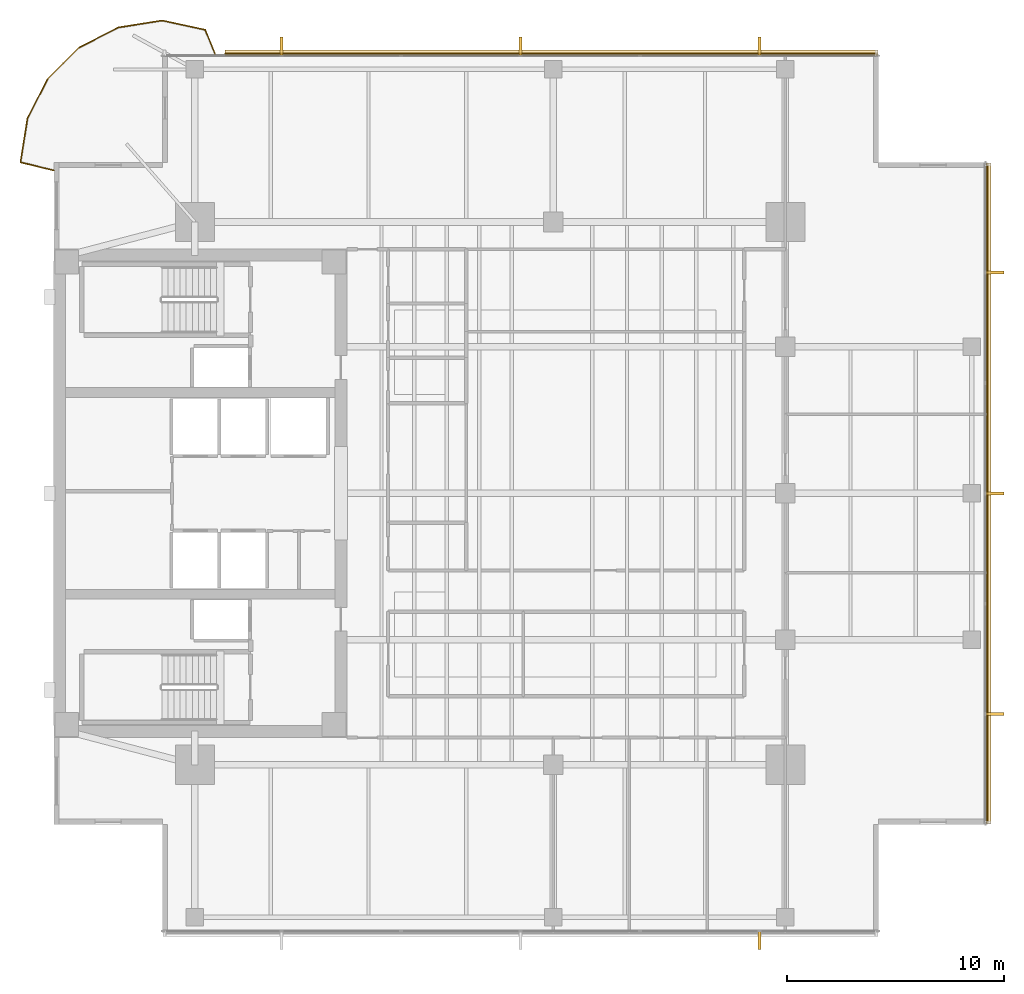
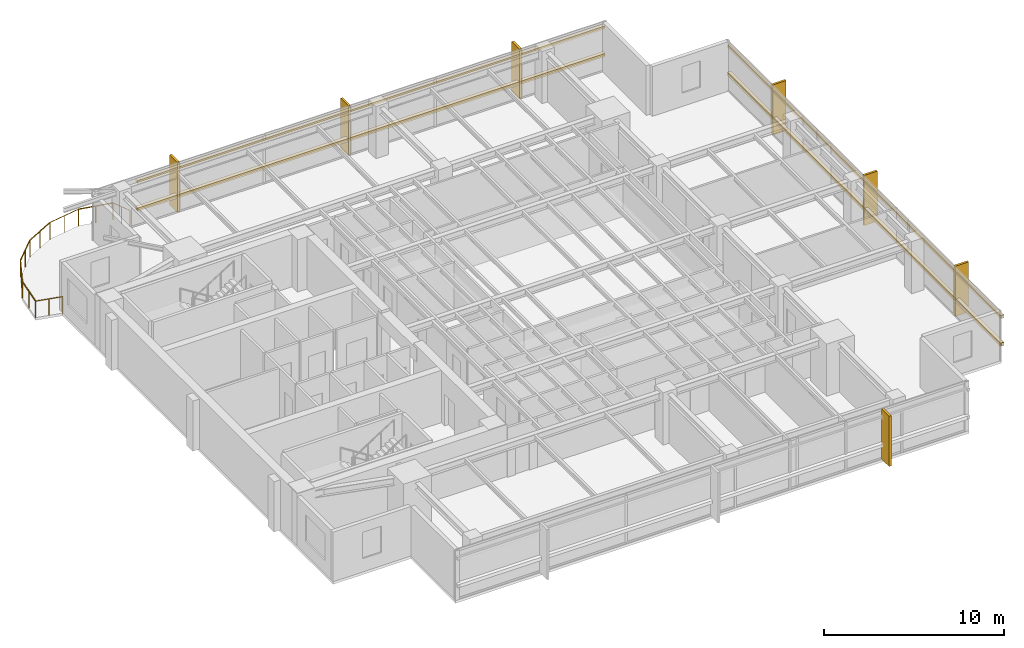
# One storey, part 14 of 14: 11 coverings, 8 railings, 4 shading devices.
"""IFC4 building model written with IfcOpenShell, lengths in metres."""

from ifc_helpers import new_model, si_unit, direction, frame, origin, origin_2d, place, context, subcontext, project, spatial, polyline, rectangle, circle, outline, extrude, material, layer, layer_set, material_profile, profile_set, type_object, element, save


model = new_model("IFC4")

# Units and contexts
model_context = context("Model", 3, precision=1e-05, world=origin(), true_north=direction((0.0, 1.0)))
body_context = subcontext(model_context, "Body", "Model", "MODEL_VIEW")
ifc_project = project(units=[si_unit("LENGTHUNIT", "METRE"), si_unit("AREAUNIT", "SQUARE_METRE"), si_unit("VOLUMEUNIT", "CUBIC_METRE"), si_unit("PLANEANGLEUNIT", "RADIAN"), si_unit("MASSUNIT", "GRAM", prefix="KILO")], contexts=[model_context])

# Site, building, storey
site_placement = place(None, origin())
site = spatial("IfcSite", under=ifc_project, at=site_placement, CompositionType="ELEMENT")
building_placement = place(site_placement, origin())
building = spatial("IfcBuilding", under=site, at=building_placement, Name="Kinhvarn Gate Tower", CompositionType="ELEMENT")
storey_placement = place(building_placement, frame((0.0, 0.0, 227.10009765625)))
storey = spatial("IfcBuildingStorey", under=building, at=storey_placement, Name="L60", CompositionType="ELEMENT", Elevation=227.10009765625)

# Coverings
ifc_material_1 = material(Name="Fired architectural terracotta", Category="masonry")
ifc_layer_1 = layer(ifc_material_1, 0.239990234375)
ifc_layer_set_1 = layer_set([ifc_layer_1], Name="Fired architectural terracotta")
covering_type_1 = type_object("IfcCoveringType", Name="COV-BAG-220", PredefinedType="CLADDING", material=ifc_layer_set_1)
for number, where, name in (
    (1, (0.0, 0.0, 0.93994140625), "Terracotta Horizontal Sunscreen Band TBG-220 (L60)"),
    (2, (0.0, 0.0, 2.809814453125), "Terracotta Horizontal Sunscreen Band TBG-220 (L60)"),
):
    element("IfcCovering", number, at=place(storey_placement, frame(where)), inside=storey, type_object=covering_type_1, Name=name, PredefinedType="CLADDING", context=body_context, shape_type="SweptSolid", body=[
        extrude(outline(polyline([(42.4599609375, 45.429931640625), (12.3779296875, 45.429931640625), (12.3779296875, 45.669921875), (42.4599609375, 45.669921875), (42.4599609375, 45.429931640625)])), origin(), (0.0, 0.0, 1.0), 0.219970703125),
    ])
for number, where, name in (
    (3, (0.0, 0.0, 0.93994140625), "Terracotta Horizontal Sunscreen Band TBG-220 (L60)"),
    (4, (0.0, 0.0, 2.809814453125), "Terracotta Horizontal Sunscreen Band TBG-220 (L60)"),
):
    element("IfcCovering", number, at=place(storey_placement, frame(where)), inside=storey, type_object=covering_type_1, Name=name, PredefinedType="CLADDING", context=body_context, shape_type="SweptSolid", body=[
        extrude(outline(polyline([(47.429931640625, 10.0400390625), (47.429931640625, 40.4599609375), (47.669921875, 40.4599609375), (47.669921875, 10.0400390625), (47.429931640625, 10.0400390625)])), origin(), (0.0, 0.0, 1.0), 0.219970703125),
    ])
ifc_layer_2 = layer(ifc_material_1, 0.139892578125)
ifc_layer_set_2 = layer_set([ifc_layer_2], Name="Fired architectural terracotta")
covering_type_2 = type_object("IfcCoveringType", Name="COV-FIN-850", PredefinedType="CLADDING", material=ifc_layer_set_2)
covering_1_placement = place(storey_placement, frame((0.0, 0.0, -0.02001953125)))
element("IfcCovering", 5, at=covering_1_placement, inside=storey, type_object=covering_type_2, Name="Vertical Terracotta Expressive Fin TFN-850 (L60)", PredefinedType="CLADDING", context=body_context, shape_type="SweptSolid", body=[
    extrude(outline(polyline([(36.929931640625, 5.080078125), (37.070068359375, 5.080078125), (37.070068359375, 4.22998046875), (36.929931640625, 4.22998046875), (36.929931640625, 5.080078125)])), origin(), (0.0, 0.0, 1.0), 3.409912109375),
])
covering_2_placement = place(storey_placement, frame((0.0, 0.0, -0.02001953125)))
element("IfcCovering", 6, at=covering_2_placement, inside=storey, type_object=covering_type_2, Name="Vertical Terracotta Expressive Fin TFN-850 (L60)", PredefinedType="CLADDING", context=body_context, shape_type="SweptSolid", body=[
    extrude(outline(polyline([(37.070068359375, 45.419921875), (36.929931640625, 45.419921875), (36.929931640625, 46.27001953125), (37.070068359375, 46.27001953125), (37.070068359375, 45.419921875)])), origin(), (0.0, 0.0, 1.0), 3.409912109375),
])
covering_3_placement = place(storey_placement, frame((0.0, 0.0, -0.02001953125)))
element("IfcCovering", 7, at=covering_3_placement, inside=storey, type_object=covering_type_2, Name="Vertical Terracotta Expressive Fin TFN-850 (L60)", PredefinedType="CLADDING", context=body_context, shape_type="SweptSolid", body=[
    extrude(outline(polyline([(26.070068359375, 45.419921875), (25.929931640625, 45.419921875), (25.929931640625, 46.27001953125), (26.070068359375, 46.27001953125), (26.070068359375, 45.419921875)])), origin(), (0.0, 0.0, 1.0), 3.409912109375),
])
covering_4_placement = place(storey_placement, frame((0.0, 0.0, -0.02001953125)))
element("IfcCovering", 8, at=covering_4_placement, inside=storey, type_object=covering_type_2, Name="Vertical Terracotta Expressive Fin TFN-850 (L60)", PredefinedType="CLADDING", context=body_context, shape_type="SweptSolid", body=[
    extrude(outline(polyline([(15.070068359375, 45.419921875), (14.929931640625, 45.419921875), (14.929931640625, 46.27001953125), (15.070068359375, 46.27001953125), (15.070068359375, 45.419921875)])), origin(), (0.0, 0.0, 1.0), 3.409912109375),
])
covering_5_placement = place(storey_placement, frame((0.0, 0.0, -0.02001953125)))
element("IfcCovering", 9, at=covering_5_placement, inside=storey, type_object=covering_type_2, Name="Vertical Terracotta Expressive Fin TFN-850 (L60)", PredefinedType="CLADDING", context=body_context, shape_type="SweptSolid", body=[
    extrude(outline(polyline([(47.419921875, 15.01318359375), (47.419921875, 15.1533203125), (48.27001953125, 15.1533203125), (48.27001953125, 15.01318359375), (47.419921875, 15.01318359375)])), origin(), (0.0, 0.0, 1.0), 3.409912109375),
])
covering_6_placement = place(storey_placement, frame((0.0, 0.0, -0.02001953125)))
element("IfcCovering", 10, at=covering_6_placement, inside=storey, type_object=covering_type_2, Name="Vertical Terracotta Expressive Fin TFN-850 (L60)", PredefinedType="CLADDING", context=body_context, shape_type="SweptSolid", body=[
    extrude(outline(polyline([(47.419921875, 25.179931640625), (47.419921875, 25.320068359375), (48.27001953125, 25.320068359375), (48.27001953125, 25.179931640625), (47.419921875, 25.179931640625)])), origin(), (0.0, 0.0, 1.0), 3.409912109375),
])
covering_7_placement = place(storey_placement, frame((0.0, 0.0, -0.02001953125)))
element("IfcCovering", 11, at=covering_7_placement, inside=storey, type_object=covering_type_2, Name="Vertical Terracotta Expressive Fin TFN-850 (L60)", PredefinedType="CLADDING", context=body_context, shape_type="SweptSolid", body=[
    extrude(outline(polyline([(47.419921875, 35.3466796875), (47.419921875, 35.48681640625), (48.27001953125, 35.48681640625), (48.27001953125, 35.3466796875), (47.419921875, 35.3466796875)])), origin(), (0.0, 0.0, 1.0), 3.409912109375),
])

# Railings
ifc_material_2 = material(Name="Clear low-e double glazing", Category="glass")
railing_type = type_object("IfcRailingType", Name="RL-BAL-1150", PredefinedType="BALUSTRADE", material=ifc_material_2)
railing_1_placement = place(storey_placement, frame((11.927978515625, 45.5, 0.0)))
element("IfcRailing", 12, at=railing_1_placement, inside=storey, type_object=railing_type, Name="S-Carve Balcony Guardrail Seg 1 (L60)", PredefinedType="BALUSTRADE", context=body_context, shape_type="SweptSolid", body=[
    extrude(circle(Radius=0.02392578125, at=origin_2d()), frame((0.0, 0.0, 1.1259765625), z_axis=(-0.377922107939, 0.925837394109, 0.0), x_axis=(-0.925837394109, -0.377922107939, 0.0)), (0.0, 0.0, 1.0), 1.190673828125),
    extrude(circle(Radius=0.02099609375, at=origin_2d()), origin(), (0.0, 0.0, 1.0), 1.101806640625),
    extrude(circle(Radius=0.02099609375, at=origin_2d()), frame((-0.22509765625, 0.55126953125, 0.0)), (0.0, 0.0, 1.0), 1.101806640625),
    extrude(circle(Radius=0.02099609375, at=origin_2d()), frame((-0.449951171875, 1.102294921875, 0.0)), (0.0, 0.0, 1.0), 1.101806640625),
])
railing_2_placement = place(storey_placement, frame((11.47802734375, 46.602294921875, 0.0)))
element("IfcRailing", 13, at=railing_2_placement, inside=storey, type_object=railing_type, Name="S-Carve Balcony Guardrail Seg 2 (L60)", PredefinedType="BALUSTRADE", context=body_context, shape_type="SweptSolid", body=[
    extrude(circle(Radius=0.02392578125, at=origin_2d()), frame((0.0, 0.0, 1.1259765625), z_axis=(-0.977308991776, 0.211818636085, 0.0), x_axis=(-0.211818636085, -0.977308991776, 0.0)), (0.0, 0.0, 1.0), 2.02392578125),
    extrude(circle(Radius=0.02099609375, at=origin_2d()), origin(), (0.0, 0.0, 1.0), 1.101806640625),
    extrude(circle(Radius=0.02099609375, at=origin_2d()), frame((-0.989013671875, 0.21435546875, 0.0)), (0.0, 0.0, 1.0), 1.101806640625),
    extrude(circle(Radius=0.02099609375, at=origin_2d()), frame((-1.97802734375, 0.4287109375, 0.0)), (0.0, 0.0, 1.0), 1.101806640625),
])
railing_3_placement = place(storey_placement, frame((9.5, 47.031005859375, 0.0)))
element("IfcRailing", 14, at=railing_3_placement, inside=storey, type_object=railing_type, Name="S-Carve Balcony Guardrail Seg 3 (L60)", PredefinedType="BALUSTRADE", context=body_context, shape_type="SweptSolid", body=[
    extrude(circle(Radius=0.02392578125, at=origin_2d()), frame((0.0, 0.0, 1.1259765625), z_axis=(-0.98769506216, -0.15639202085, 0.0), x_axis=(0.15639202085, -0.98769506216, 0.0)), (0.0, 0.0, 1.0), 2.04345703125),
    extrude(circle(Radius=0.02099609375, at=origin_2d()), origin(), (0.0, 0.0, 1.0), 1.101806640625),
    extrude(circle(Radius=0.02099609375, at=origin_2d()), frame((-1.00927734375, -0.15966796875, 0.0)), (0.0, 0.0, 1.0), 1.101806640625),
    extrude(circle(Radius=0.02099609375, at=origin_2d()), frame((-2.018310546875, -0.319580078125, 0.0)), (0.0, 0.0, 1.0), 1.101806640625),
])
railing_4_placement = place(storey_placement, frame((7.481689453125, 46.71142578125, 0.0)))
element("IfcRailing", 15, at=railing_4_placement, inside=storey, type_object=railing_type, Name="S-Carve Balcony Guardrail Seg 4 (L60)", PredefinedType="BALUSTRADE", context=body_context, shape_type="SweptSolid", body=[
    extrude(circle(Radius=0.02392578125, at=origin_2d()), frame((0.0, 0.0, 1.1259765625), z_axis=(-0.890983868827, -0.454034960647, 0.0), x_axis=(0.454034960647, -0.890983868827, 0.0)), (0.0, 0.0, 1.0), 2.043212890625),
    extrude(circle(Radius=0.02099609375, at=origin_2d()), origin(), (0.0, 0.0, 1.0), 1.101806640625),
    extrude(circle(Radius=0.02099609375, at=origin_2d()), frame((-0.91015625, -0.4638671875, 0.0)), (0.0, 0.0, 1.0), 1.101806640625),
    extrude(circle(Radius=0.02099609375, at=origin_2d()), frame((-1.820556640625, -0.927734375, 0.0)), (0.0, 0.0, 1.0), 1.101806640625),
])
railing_5_placement = place(storey_placement, frame((5.6611328125, 45.78369140625, 0.0)))
element("IfcRailing", 16, at=railing_5_placement, inside=storey, type_object=railing_type, Name="S-Carve Balcony Guardrail Seg 5 (L60)", PredefinedType="BALUSTRADE", context=body_context, shape_type="SweptSolid", body=[
    extrude(circle(Radius=0.02392578125, at=origin_2d()), frame((0.0, 0.0, 1.1259765625), z_axis=(-0.707106781187, -0.707106781187, 0.0), x_axis=(0.707106781187, -0.707106781187, 0.0)), (0.0, 0.0, 1.0), 2.043212890625),
    extrude(circle(Radius=0.02099609375, at=origin_2d()), origin(), (0.0, 0.0, 1.0), 1.101806640625),
    extrude(circle(Radius=0.02099609375, at=origin_2d()), frame((-0.722412109375, -0.722412109375, 0.0)), (0.0, 0.0, 1.0), 1.101806640625),
    extrude(circle(Radius=0.02099609375, at=origin_2d()), frame((-1.44482421875, -1.44482421875, 0.0)), (0.0, 0.0, 1.0), 1.101806640625),
])
railing_6_placement = place(storey_placement, frame((4.21630859375, 44.3388671875, 0.0)))
element("IfcRailing", 17, at=railing_6_placement, inside=storey, type_object=railing_type, Name="S-Carve Balcony Guardrail Seg 6 (L60)", PredefinedType="BALUSTRADE", context=body_context, shape_type="SweptSolid", body=[
    extrude(circle(Radius=0.02392578125, at=origin_2d()), frame((0.0, 0.0, 1.1259765625), z_axis=(-0.454034960647, -0.890983868827, 0.0), x_axis=(0.890983868827, -0.454034960647, 0.0)), (0.0, 0.0, 1.0), 2.043212890625),
    extrude(circle(Radius=0.02099609375, at=origin_2d()), origin(), (0.0, 0.0, 1.0), 1.101806640625),
    extrude(circle(Radius=0.02099609375, at=origin_2d()), frame((-0.4638671875, -0.91015625, 0.0)), (0.0, 0.0, 1.0), 1.101806640625),
    extrude(circle(Radius=0.02099609375, at=origin_2d()), frame((-0.927734375, -1.820556640625, 0.0)), (0.0, 0.0, 1.0), 1.101806640625),
])
railing_7_placement = place(storey_placement, frame((3.28857421875, 42.518310546875, 0.0)))
element("IfcRailing", 18, at=railing_7_placement, inside=storey, type_object=railing_type, Name="S-Carve Balcony Guardrail Seg 7 (L60)", PredefinedType="BALUSTRADE", context=body_context, shape_type="SweptSolid", body=[
    extrude(circle(Radius=0.02392578125, at=origin_2d()), frame((0.0, 0.0, 1.1259765625), z_axis=(-0.15639202085, -0.98769506216, 0.0), x_axis=(0.98769506216, -0.15639202085, 0.0)), (0.0, 0.0, 1.0), 2.04345703125),
    extrude(circle(Radius=0.02099609375, at=origin_2d()), origin(), (0.0, 0.0, 1.0), 1.101806640625),
    extrude(circle(Radius=0.02099609375, at=origin_2d()), frame((-0.15966796875, -1.00927734375, 0.0)), (0.0, 0.0, 1.0), 1.101806640625),
    extrude(circle(Radius=0.02099609375, at=origin_2d()), frame((-0.319580078125, -2.018310546875, 0.0)), (0.0, 0.0, 1.0), 1.101806640625),
])
railing_8_placement = place(storey_placement, frame((2.968994140625, 40.5, 0.0)))
element("IfcRailing", 19, at=railing_8_placement, inside=storey, type_object=railing_type, Name="S-Carve Balcony Guardrail Seg 8 (L60)", PredefinedType="BALUSTRADE", context=body_context, shape_type="SweptSolid", body=[
    extrude(circle(Radius=0.02392578125, at=origin_2d()), frame((0.0, 0.0, 1.1259765625), z_axis=(0.9712885473, -0.237904514217, 0.0), x_axis=(0.237904514217, 0.9712885473, 0.0)), (0.0, 0.0, 1.0), 1.576171875),
    extrude(circle(Radius=0.02099609375, at=origin_2d()), origin(), (0.0, 0.0, 1.0), 1.101806640625),
    extrude(circle(Radius=0.02099609375, at=origin_2d()), frame((0.765625, -0.1875, 0.0)), (0.0, 0.0, 1.0), 1.101806640625),
    extrude(circle(Radius=0.02099609375, at=origin_2d()), frame((1.531005859375, -0.375, 0.0)), (0.0, 0.0, 1.0), 1.101806640625),
])

# Shading devices
ifc_material_profile = material_profile(ifc_material_1, rectangle(XDim=0.050048828125, YDim=0.1201171875, at=origin_2d()), Name="TC 50x120")
ifc_profile_set = profile_set([ifc_material_profile], Name="Fired architectural terracotta")
shading_device_type = type_object("IfcShadingDeviceType", Name="SHD-BAG-140", PredefinedType="USERDEFINED", material=ifc_profile_set)
for number, where, z_axis, x_axis, name in (
    (20, (42.4599609375, 45.5, 1.0498046875), (-1.0, 0.0, 0.0), (0.0, -1.0, 0.0), "Upper Tower Terracotta Baguette Screen Rod 50x120 mm (L60)"),
    (21, (42.4599609375, 45.5, 2.919921875), (-1.0, 0.0, 0.0), (0.0, -1.0, 0.0), "Upper Tower Terracotta Baguette Screen Rod 50x120 mm (L60)"),
):
    element("IfcShadingDevice", number, at=place(storey_placement, frame(where, z_axis=z_axis, x_axis=x_axis)), inside=storey, type_object=shading_device_type, Name=name, ObjectType="BAGUETTE", PredefinedType="USERDEFINED", context=body_context, shape_type="SweptSolid", body=[
        extrude(rectangle(XDim=0.050048828125, YDim=0.1201171875, at=origin_2d()), origin(), (0.0, 0.0, 1.0), 30.08203125),
    ])
for number, where, z_axis, x_axis, name in (
    (22, (47.5, 10.0400390625, 1.0498046875), (0.0, 1.0, 0.0), (-1.0, 0.0, 0.0), "Upper Tower Terracotta Baguette Screen Rod 50x120 mm (L60)"),
    (23, (47.5, 10.0400390625, 2.919921875), (0.0, 1.0, 0.0), (-1.0, 0.0, 0.0), "Upper Tower Terracotta Baguette Screen Rod 50x120 mm (L60)"),
):
    element("IfcShadingDevice", number, at=place(storey_placement, frame(where, z_axis=z_axis, x_axis=x_axis)), inside=storey, type_object=shading_device_type, Name=name, ObjectType="BAGUETTE", PredefinedType="USERDEFINED", context=body_context, shape_type="SweptSolid", body=[
        extrude(rectangle(XDim=0.050048828125, YDim=0.1201171875, at=origin_2d()), origin(), (0.0, 0.0, 1.0), 30.419921875),
    ])

save(model, "model.ifc")
